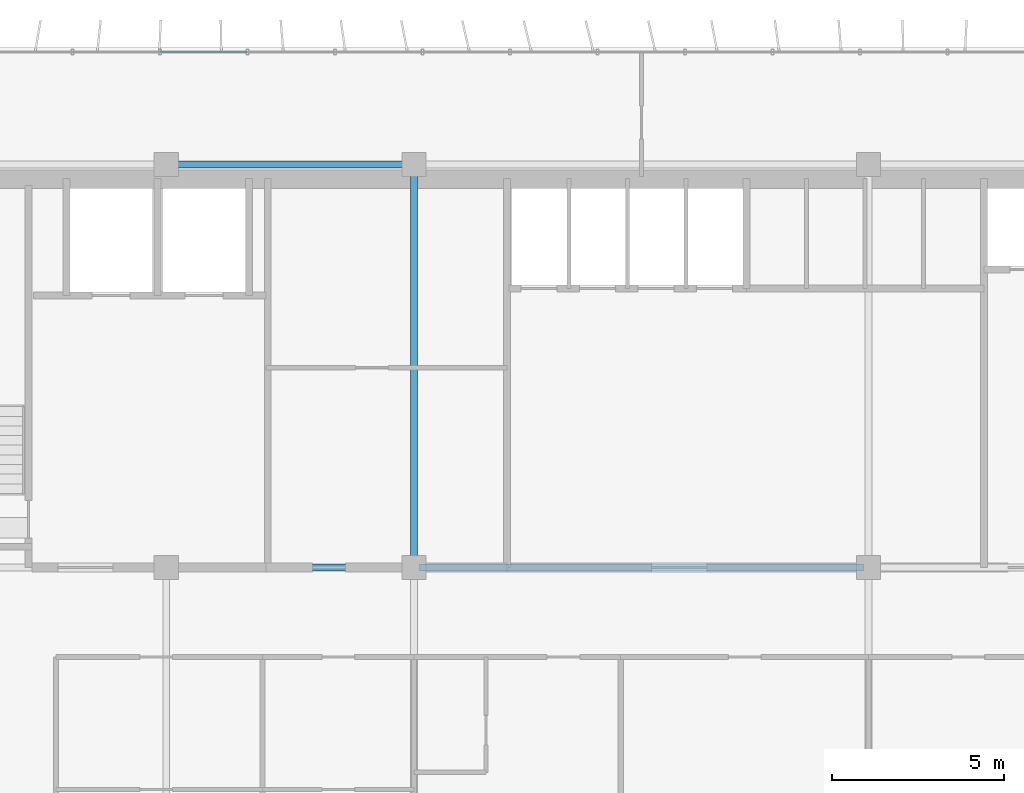
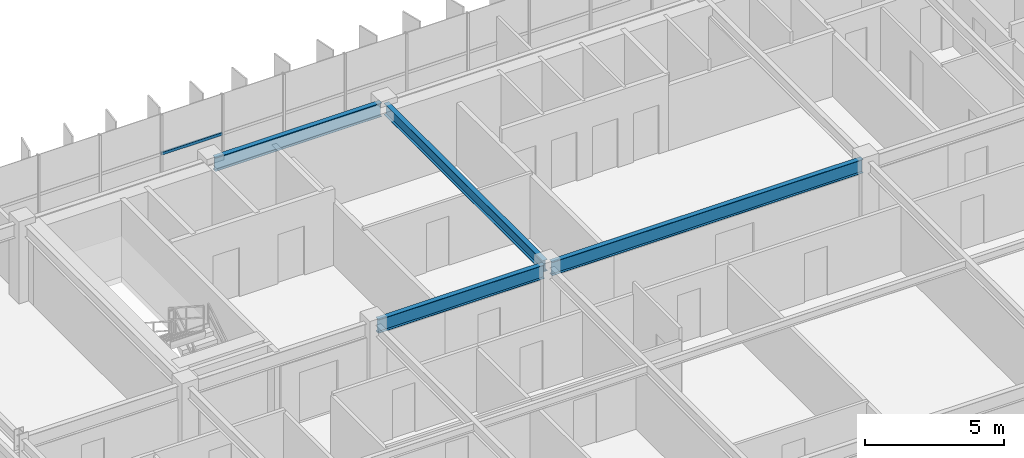
# One storey, part 5 of 21: 4 beams, 1 member, 1 element without a shape of its own.
"""IFC4 building model written with IfcOpenShell, lengths in metres."""

import ifcopenshell
import ifcopenshell.guid

model = None  # the IFC model being written
_history = None  # IfcOwnerHistory: only IFC2X3 demands one
_inside = {}  # id of a spatial element -> (the spatial element, [elements in it])
_under = {}  # id of a project, library or spatial element -> (it, [spatial elements below it])
_declared = {}  # id of a project -> (the project, [libraries it declares])
_typed = {}  # id of a type object -> (the type object, [elements of that type])
_made_of = {}  # id of a material, layer set ... -> (it, [elements and type objects made of it])


def new_model(schema):
    """Start an empty IFC model of exactly this schema.

    Asked for "IFC4X3", IfcOpenShell would pick the latest addendum, in which some entities
    have other attributes; the version numbers below select the first issue.
    IFC2X3 requires an IfcOwnerHistory on every rooted entity: one is made here for all.
    """
    global model, _history
    if schema == "IFC4X3":
        model = ifcopenshell.file(schema_version=(4, 3, 0, 0))
    else:
        model = ifcopenshell.file(schema=schema)
    _inside.clear()
    _under.clear()
    _declared.clear()
    _typed.clear()
    _made_of.clear()
    _history = None
    if model.schema == "IFC2X3":
        org = make("IfcOrganization", Name="unknown")
        user = make(
            "IfcPersonAndOrganization",
            ThePerson=make("IfcPerson", FamilyName="unknown"),
            TheOrganization=org,
        )
        app = make(
            "IfcApplication",
            ApplicationDeveloper=org,
            Version="unknown",
            ApplicationFullName="unknown",
            ApplicationIdentifier="unknown",
        )
        _history = make(
            "IfcOwnerHistory",
            OwningUser=user,
            OwningApplication=app,
            ChangeAction="ADDED",
            CreationDate=0,
        )
    return model


def make(cls, **values):
    """One entity of the class cls with the attributes given. An attribute that is None is left unset."""
    return model.create_entity(
        cls, **{name: value for name, value in values.items() if value is not None}
    )


def rooted(cls, **values):
    """An entity with a GlobalId (a new one), such as an element, a storey or a relation."""
    return make(cls, GlobalId=ifcopenshell.guid.new(), OwnerHistory=_history, **values)


def si_unit(unit_type, name, prefix=None):
    """IfcSIUnit, for example si_unit("LENGTHUNIT", "METRE", prefix="MILLI")."""
    return make("IfcSIUnit", UnitType=unit_type, Prefix=prefix, Name=name)


def assignment(units):
    """IfcUnitAssignment: the units of a project."""
    return None if units is None else make("IfcUnitAssignment", Units=units)


def point(xyz):
    """IfcCartesianPoint."""
    return None if xyz is None else make("IfcCartesianPoint", Coordinates=xyz)


def direction(xyz):
    """IfcDirection."""
    return None if xyz is None else make("IfcDirection", DirectionRatios=xyz)


def frame(location, z_axis=None, x_axis=None):
    """IfcAxis2Placement3D, a coordinate frame: its origin and axes. An axis left out is left unset."""
    return make(
        "IfcAxis2Placement3D",
        Location=point(location),
        Axis=direction(z_axis),
        RefDirection=direction(x_axis),
    )


def frame_2d(location, x_axis=None):
    """IfcAxis2Placement2D, a coordinate frame in the plane: its origin and x axis."""
    return make(
        "IfcAxis2Placement2D", Location=point(location), RefDirection=direction(x_axis)
    )


def origin():
    """The frame at (0, 0, 0) with its axes left unset."""
    return frame((0.0, 0.0, 0.0))


def origin_2d():
    """The frame at (0, 0) in the plane with its x axis left unset."""
    return frame_2d((0.0, 0.0))


def place(relative_to, where):
    """IfcLocalPlacement: puts the frame where relative to a parent placement (None: the world)."""
    return make(
        "IfcLocalPlacement", PlacementRelTo=relative_to, RelativePlacement=where
    )


def context(
    kind, dimensions, precision=None, world=None, true_north=None, identifier=None
):
    """IfcGeometricRepresentationContext, for example the 3D "Model" context."""
    return make(
        "IfcGeometricRepresentationContext",
        ContextIdentifier=identifier,
        ContextType=kind,
        CoordinateSpaceDimension=dimensions,
        Precision=precision,
        WorldCoordinateSystem=world,
        TrueNorth=true_north,
    )


def subcontext(parent, identifier, kind, view, scale=None):
    """IfcGeometricRepresentationSubContext, for example "Body" below "Model"."""
    return make(
        "IfcGeometricRepresentationSubContext",
        ContextIdentifier=identifier,
        ContextType=kind,
        ParentContext=parent,
        TargetScale=scale,
        TargetView=view,
    )


def project(units=None, contexts=None):
    """IfcProject with its units and contexts."""
    return rooted(
        "IfcProject",
        Name="project",
        RepresentationContexts=contexts,
        UnitsInContext=assignment(units),
    )


def spatial(cls, under=None, at=None, **own):
    """A site, building, storey or space (cls), placed at a placement, below another one or the project."""
    s = rooted(cls, ObjectPlacement=at, **own)
    if under is not None:
        _under.setdefault(under.id(), (under, []))[1].append(s)
    return s


def profile(cls, at=None, kind="AREA", **sizes):
    """A parametric profile (cls). Its sizes go by their IFC names, for example OverallWidth=200.0."""
    return make(cls, ProfileType=kind, Position=at, **sizes)


def hollow_rectangle(**sizes):
    """IfcRectangleHollowProfileDef."""
    return profile("IfcRectangleHollowProfileDef", **sizes)


def i_section(**sizes):
    """IfcIShapeProfileDef."""
    return profile("IfcIShapeProfileDef", **sizes)


def extrude(swept, where, along, depth):
    """IfcExtrudedAreaSolid: the profile swept, set in the frame where, extruded along a direction by depth."""
    return make(
        "IfcExtrudedAreaSolid",
        SweptArea=swept,
        Position=where,
        ExtrudedDirection=direction(along),
        Depth=depth,
    )


def shape(context_of_items, identifier, shape_type, items):
    """IfcShapeRepresentation: the items that make up one representation, for example the "Body"."""
    return make(
        "IfcShapeRepresentation",
        ContextOfItems=context_of_items,
        RepresentationIdentifier=identifier,
        RepresentationType=shape_type,
        Items=items,
    )


def source(mapping_origin, context_of_items, identifier, shape_type, items):
    """IfcRepresentationMap: a shape defined once, which mapped items show again and again."""
    return make(
        "IfcRepresentationMap",
        MappingOrigin=mapping_origin,
        MappedRepresentation=shape(context_of_items, identifier, shape_type, items),
    )


def transform(
    local_origin,
    x_axis=None,
    y_axis=None,
    z_axis=None,
    scale=None,
    scale2=None,
    scale3=None,
    uniform=True,
):
    """IfcCartesianTransformationOperator3D, or its non-uniform kind. x_axis, y_axis, z_axis: its Axis1, 2, 3."""
    if uniform:
        return make(
            "IfcCartesianTransformationOperator3D",
            Axis1=direction(x_axis),
            Axis2=direction(y_axis),
            LocalOrigin=point(local_origin),
            Scale=scale,
            Axis3=direction(z_axis),
        )
    return make(
        "IfcCartesianTransformationOperator3DnonUniform",
        Axis1=direction(x_axis),
        Axis2=direction(y_axis),
        LocalOrigin=point(local_origin),
        Scale=scale,
        Axis3=direction(z_axis),
        Scale2=scale2,
        Scale3=scale3,
    )


def mapped(mapping_source, mapping_target):
    """IfcMappedItem: shows the shape of a source again, moved by a transform."""
    return make(
        "IfcMappedItem", MappingSource=mapping_source, MappingTarget=mapping_target
    )


def material(Name=None, Category=None):
    """IfcMaterial."""
    return make("IfcMaterial", Name=Name, Category=Category)


def material_profile(
    of_material, cross_section, Name=None, Category=None, Priority=None
):
    """IfcMaterialProfile: a cross section and its material."""
    return make(
        "IfcMaterialProfile",
        Name=Name,
        Material=of_material,
        Profile=cross_section,
        Priority=Priority,
        Category=Category,
    )


def profile_set(profiles, Name=None, composite=None):
    """IfcMaterialProfileSet."""
    return make(
        "IfcMaterialProfileSet",
        Name=Name,
        MaterialProfiles=profiles,
        CompositeProfile=composite,
    )


def made_of(thing, what):
    """Note that an element or type object is made of a material, layer set ...; save() writes the relation."""
    if what is not None:
        _made_of.setdefault(what.id(), (what, []))[1].append(thing)
    return thing


def type_object(cls, material=None, **own):
    """A type object (cls), such as IfcWallType, which elements share."""
    return made_of(rooted(cls, **own), material)


def element(
    cls,
    number,
    at=None,
    inside=None,
    cuts=None,
    type_object=None,
    material=None,
    context=None,
    identifier="Body",
    shape_type=None,
    held_by="IfcProductDefinitionShape",
    body=None,
    shapes=None,
    **own,
):
    """One element of the class cls, such as IfcWall. Its Tag is "e" and its number.

    at: its placement. inside: the storey or other place that contains it. cuts: it is an
    opening in that element (IfcRelVoidsElement). A single representation is given by context,
    identifier, shape_type and body (its items); several are given by shapes. held_by: the class
    of the entity that holds the representations. save() writes the other relations.
    """
    e = rooted(cls, Tag="e%d" % number, ObjectPlacement=at, **own)
    if body is not None:
        shapes = [shape(context, identifier, shape_type, body)]
    if shapes is not None:
        e.Representation = make(held_by, Representations=shapes)
    if inside is not None:
        _inside.setdefault(inside.id(), (inside, []))[1].append(e)
    if cuts is not None:
        rooted(
            "IfcRelVoidsElement", RelatingBuildingElement=cuts, RelatedOpeningElement=e
        )
    if type_object is not None:
        _typed.setdefault(type_object.id(), (type_object, []))[1].append(e)
    return made_of(e, material)


def aggregate(whole, parts):
    """IfcRelAggregates: a whole, such as a stair, and the parts it consists of."""
    return rooted("IfcRelAggregates", RelatingObject=whole, RelatedObjects=parts)


def save(model, path):
    """Write the relations noted so far, then the file.

    IfcRelAggregates (storeys below a building ...), IfcRelContainedInSpatialStructure (elements
    in a storey), IfcRelDefinesByType, IfcRelAssociatesMaterial and IfcRelDeclares: one each for
    every whole, place, type object, material and project.
    """
    for whole, parts in _under.values():
        aggregate(whole, parts)
    for where, things in _inside.values():
        rooted(
            "IfcRelContainedInSpatialStructure",
            RelatedElements=things,
            RelatingStructure=where,
        )
    for kind, things in _typed.values():
        rooted("IfcRelDefinesByType", RelatedObjects=things, RelatingType=kind)
    for what, things in _made_of.values():
        rooted("IfcRelAssociatesMaterial", RelatedObjects=things, RelatingMaterial=what)
    for by, libraries in _declared.values():
        rooted("IfcRelDeclares", RelatingContext=by, RelatedDefinitions=libraries)
    model.write(path)


model = new_model("IFC4")

# Units and contexts
model_context = context("Model", 3, precision=1e-05, world=origin(), true_north=direction((0.0, 1.0)))
body_context = subcontext(model_context, "Body", "Model", "MODEL_VIEW")
ifc_project = project(units=[si_unit("LENGTHUNIT", "METRE"), si_unit("AREAUNIT", "SQUARE_METRE"), si_unit("VOLUMEUNIT", "CUBIC_METRE"), si_unit("PLANEANGLEUNIT", "RADIAN"), si_unit("MASSUNIT", "GRAM", prefix="KILO")], contexts=[model_context])

# Site, building, storey
site_placement = place(None, origin())
site = spatial("IfcSite", under=ifc_project, at=site_placement, CompositionType="ELEMENT")
building_placement = place(site_placement, origin())
building = spatial("IfcBuilding", under=site, at=building_placement, Name="Trelvane Seafront Commons", CompositionType="ELEMENT")
storey_placement = place(building_placement, frame((0.0, 0.0, 160.89990234375)))
storey = spatial("IfcBuildingStorey", under=building, at=storey_placement, Name="L42", CompositionType="ELEMENT", Elevation=160.89990234375)

# Beams
ifc_material_1 = material(Name="Steel SM355 (S355)", Category="steel")
ifc_material_profile_1 = material_profile(ifc_material_1, i_section(OverallWidth=0.199951171875, OverallDepth=0.5, WebThickness=0.010009765625, FlangeThickness=0.01611328125, at=origin_2d()), Name="H-500x200x10x16")
ifc_profile_set_1 = profile_set([ifc_material_profile_1], Name="Steel SM355 (S355)")
beam_type_1 = type_object("IfcBeamType", Name="STR-BM-H500", PredefinedType="BEAM", material=ifc_profile_set_1)
shared_shape_1 = source(origin(), body_context, "Body", "SweptSolid", [
    extrude(i_section(OverallWidth=0.199951171875, OverallDepth=0.5, WebThickness=0.010009765625, FlangeThickness=0.01611328125, at=origin_2d()), origin(), (0.0, 0.0, 1.0), 11.39990234375),
])
beam_1_placement = place(storey_placement, frame((30.60009765625, 33.550048828125, 3.10009765625), z_axis=(0.0, 1.0, 0.0), x_axis=(-1.0, 0.0, 0.0)))
element("IfcBeam", 1, at=beam_1_placement, inside=storey, type_object=beam_type_1, Name="L42 Primary Girder G-40", PredefinedType="BEAM", context=body_context, shape_type="MappedRepresentation", body=[
    mapped(shared_shape_1, transform((0.0, 0.0, 0.0), x_axis=(1.0, 0.0, 0.0), y_axis=(0.0, 1.0, 0.0), z_axis=(0.0, 0.0, 1.0), scale=1.0)),
])
ifc_material_profile_2 = material_profile(ifc_material_1, i_section(OverallWidth=0.199951171875, OverallDepth=0.60009765625, WebThickness=0.010986328125, FlangeThickness=0.01708984375, at=origin_2d()), Name="H-600x200x11x17")
ifc_profile_set_2 = profile_set([ifc_material_profile_2], Name="Steel SM355 (S355)")
beam_type_2 = type_object("IfcBeamType", Name="STR-SPD-H600", PredefinedType="SPANDREL", material=ifc_profile_set_2)
shared_shape_2 = source(origin(), body_context, "Body", "SweptSolid", [
    extrude(i_section(OverallWidth=0.199951171875, OverallDepth=0.60009765625, WebThickness=0.010986328125, FlangeThickness=0.01708984375, at=origin_2d()), origin(), (0.0, 0.0, 1.0), 12.89990234375),
])
beam_2_placement = place(storey_placement, frame((30.75, 33.39990234375, 3.050048828125), z_axis=(1.0, 0.0, 0.0), x_axis=(0.0, 1.0, 0.0)))
element("IfcBeam", 2, at=beam_2_placement, inside=storey, type_object=beam_type_2, Name="L42 Primary Girder G-18", PredefinedType="SPANDREL", context=body_context, shape_type="MappedRepresentation", body=[
    mapped(shared_shape_2, transform((0.0, 0.0, 0.0), x_axis=(1.0, 0.0, 0.0), y_axis=(0.0, 1.0, 0.0), z_axis=(0.0, 0.0, 1.0), scale=1.0)),
])
shared_shape_3 = source(origin(), body_context, "Body", "SweptSolid", [
    extrude(i_section(OverallWidth=0.199951171875, OverallDepth=0.60009765625, WebThickness=0.010986328125, FlangeThickness=0.01708984375, at=origin_2d()), origin(), (0.0, 0.0, 1.0), 6.89990234375),
])
for number, where, z_axis, x_axis, name in (
    (3, (23.550048828125, 33.39990234375, 3.050048828125), (1.0, 0.0, 0.0), (0.0, 1.0, 0.0), "L42 Primary Girder G-17"),
    (4, (23.550048828125, 45.10009765625, 3.050048828125), (1.0, 0.0, 0.0), (0.0, 1.0, 0.0), "L42 Primary Girder G-24"),
):
    element("IfcBeam", number, at=place(storey_placement, frame(where, z_axis=z_axis, x_axis=x_axis)), inside=storey, type_object=beam_type_2, Name=name, PredefinedType="SPANDREL", context=body_context, shape_type="MappedRepresentation", body=[
        mapped(shared_shape_3, transform((0.0, 0.0, 0.0), x_axis=(1.0, 0.0, 0.0), y_axis=(0.0, 1.0, 0.0), z_axis=(0.0, 0.0, 1.0), scale=1.0)),
    ])

# Curtain wall, member
ifc_material_2 = material(Name="Anodised pale-silver aluminium", Category="aluminium")
curtain_wall_type = type_object("IfcCurtainWallType", Name="ARCH-CW5-UPTOWER", PredefinedType="NOTDEFINED", material=ifc_material_2)
curtain_wall_placement = place(storey_placement, origin())
curtain_wall = element("IfcCurtainWall", 5, at=curtain_wall_placement, inside=storey, type_object=curtain_wall_type, Name="CW-L42-0069", PredefinedType="NOTDEFINED")
ifc_material_profile_3 = material_profile(ifc_material_2, hollow_rectangle(XDim=0.070068359375, YDim=0.1201171875, WallThickness=0.00390625, at=origin_2d()), Name="TRAN-70x120x4")
ifc_profile_set_3 = profile_set([ifc_material_profile_3], Name="Anodised pale-silver aluminium")
member_type = type_object("IfcMemberType", Name="ARCH-CW-TRAN-120", PredefinedType="USERDEFINED", material=ifc_profile_set_3)
shared_shape_4 = source(origin(), body_context, "Body", "SweptSolid", [
    extrude(hollow_rectangle(XDim=0.070068359375, YDim=0.1201171875, WallThickness=0.00390625, at=origin_2d()), origin(), (0.0, 0.0, 1.0), 2.51708984375),
])
member_placement = place(storey_placement, frame((23.235595703125, 48.3701171875, 1.608154296875), z_axis=(1.0, 0.0, 0.0), x_axis=(0.0, 1.0, 0.0)))
member = element("IfcMember", 6, at=member_placement, type_object=member_type, Name="CW-L42-0069-T03", ObjectType="TRANSOM", PredefinedType="USERDEFINED", context=body_context, shape_type="MappedRepresentation", body=[
    mapped(shared_shape_4, transform((0.0, 0.0, 0.0), x_axis=(1.0, 0.0, 0.0), y_axis=(0.0, 1.0, 0.0), z_axis=(0.0, 0.0, 1.0), scale=1.0)),
])
aggregate(curtain_wall, [member])

save(model, "model.ifc")
